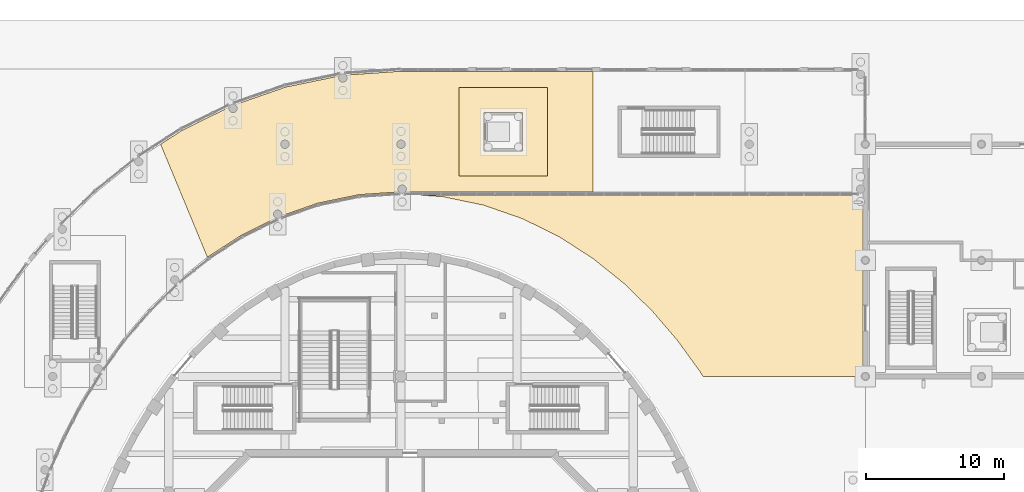
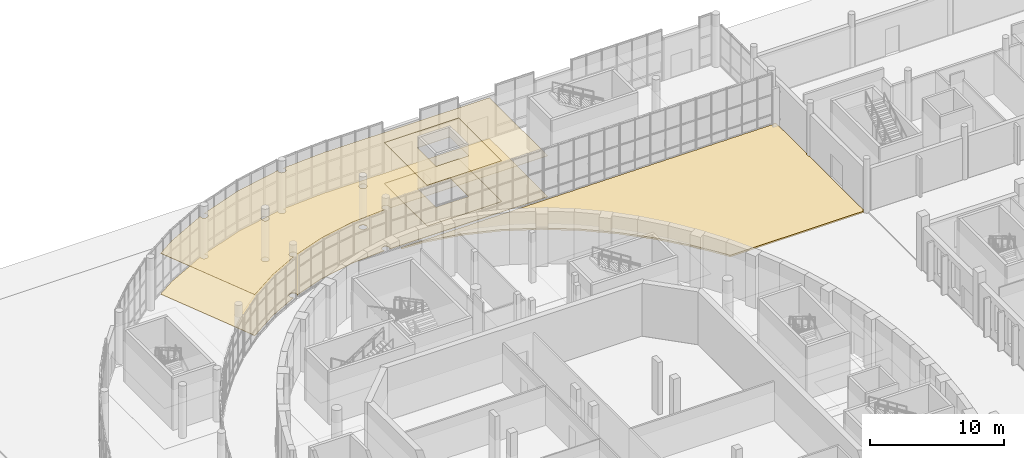
# One storey, part 103 of 110: 5 coverings.
"""IFC4 building model written with IfcOpenShell, lengths in metres."""

from ifc_helpers import new_model, si_unit, direction, frame, origin, place, context, subcontext, project, spatial, polyline, outline, extrude, material, layer, layer_set, type_object, element, save


model = new_model("IFC4")

# Units and contexts
model_context = context("Model", 3, precision=1e-05, world=origin(), true_north=direction((0.0, 1.0)))
body_context = subcontext(model_context, "Body", "Model", "MODEL_VIEW")
ifc_project = project(units=[si_unit("LENGTHUNIT", "METRE"), si_unit("AREAUNIT", "SQUARE_METRE"), si_unit("VOLUMEUNIT", "CUBIC_METRE"), si_unit("PLANEANGLEUNIT", "RADIAN"), si_unit("MASSUNIT", "GRAM", prefix="KILO")], contexts=[model_context])

# Site, building, storey
site_placement = place(None, origin())
site = spatial("IfcSite", under=ifc_project, at=site_placement, CompositionType="ELEMENT")
building_placement = place(site_placement, origin())
building = spatial("IfcBuilding", under=site, at=building_placement, Name="Larchfold Concert Hall", CompositionType="ELEMENT")
storey_placement = place(building_placement, origin())
storey = spatial("IfcBuildingStorey", under=building, at=storey_placement, Name="L00", CompositionType="ELEMENT", Elevation=0.0)

# Coverings
ifc_material_1 = material(Name="Plasterboard ceiling lining")
ifc_layer_1 = layer(ifc_material_1, 0.030029296875)
ifc_layer_set_1 = layer_set([ifc_layer_1], Name="Plasterboard ceiling lining")
covering_type_1 = type_object("IfcCoveringType", Name="Ceiling suspended plasterboard 30", PredefinedType="CEILING", material=ifc_layer_set_1)
covering_1_placement = place(storey_placement, frame((0.0, 0.0, 3.719970703125)))
element("IfcCovering", 1, at=covering_1_placement, inside=storey, type_object=covering_type_1, Name="Ceiling Winter Garden Concourse North", PredefinedType="CEILING", context=body_context, shape_type="SweptSolid", body=[
    extrude(outline(polyline([(38.13232421875, 131.541015625), (34.2529296875, 130.737060546875), (30.587890625, 129.46044921875), (30.6552734375, 129.41015625), (30.702880859375, 129.347900390625), (30.73291015625, 129.275634765625), (30.7431640625, 129.197998046875), (30.73291015625, 129.120361328125), (30.702880859375, 129.048095703125), (30.6552734375, 128.98583984375), (30.593017578125, 128.938232421875), (30.520751953125, 128.908203125), (30.443115234375, 128.89794921875), (30.404052734375, 128.900634765625), (30.328369140625, 128.9208984375), (30.260498046875, 128.9599609375), (30.205078125, 129.015380859375), (30.183349609375, 129.048095703125), (30.1533203125, 129.120361328125), (30.14306640625, 129.197998046875), (30.154541015625, 129.27880859375), (26.771484375, 127.6103515625), (25.203369140625, 126.599365234375), (28.587890625, 118.427978515625), (31.066650390625, 120.028076171875), (33.560302734375, 121.258056640625), (33.493408203125, 121.296875), (33.4638671875, 121.32275390625), (33.416259765625, 121.385009765625), (33.38623046875, 121.457275390625), (33.3759765625, 121.534912109375), (33.38623046875, 121.612548828125), (33.416259765625, 121.684814453125), (33.4638671875, 121.7470703125), (33.493408203125, 121.77294921875), (33.561279296875, 121.81201171875), (33.636962890625, 121.832275390625), (33.715087890625, 121.832275390625), (33.790771484375, 121.81201171875), (33.825927734375, 121.794677734375), (33.88818359375, 121.7470703125), (33.935791015625, 121.684814453125), (33.953125, 121.649658203125), (33.973388671875, 121.573974609375), (33.973388671875, 121.495849609375), (33.953125, 121.419921875), (36.57666015625, 122.333740234375), (39.55224609375, 122.950927734375), (42.46044921875, 123.151123046875), (42.42431640625, 123.2001953125), (42.406982421875, 123.2353515625), (42.38671875, 123.31103515625), (42.38671875, 123.38916015625), (42.406982421875, 123.46484375), (42.446044921875, 123.53271484375), (42.50146484375, 123.588134765625), (42.5693359375, 123.627197265625), (42.64501953125, 123.6474609375), (42.72314453125, 123.6474609375), (42.798828125, 123.627197265625), (42.833984375, 123.60986328125), (42.896240234375, 123.562255859375), (42.94384765625, 123.5), (42.961181640625, 123.46484375), (42.9814453125, 123.38916015625), (42.9814453125, 123.31103515625), (42.961181640625, 123.2353515625), (42.94384765625, 123.2001953125), (42.90673828125, 123.14990234375), (56.50048828125, 123.14990234375), (56.50048828125, 131.85009765625), (42.4501953125, 131.85009765625), (42.4501953125, 131.871337890625), (38.60107421875, 131.60595703125), (38.65185546875, 131.541015625), (38.681884765625, 131.46875), (38.692138671875, 131.39111328125), (38.689453125, 131.35205078125), (38.669189453125, 131.2763671875), (38.630126953125, 131.20849609375), (38.57470703125, 131.153076171875), (38.5068359375, 131.114013671875), (38.43115234375, 131.09375), (38.39208984375, 131.091064453125), (38.314453125, 131.101318359375), (38.2421875, 131.13134765625), (38.179931640625, 131.178955078125), (38.13232421875, 131.2412109375), (38.102294921875, 131.3134765625), (38.092041015625, 131.39111328125), (38.102294921875, 131.46875), (38.13232421875, 131.541015625)]), holes=[polyline([(46.800048828125, 124.300048828125), (46.800048828125, 130.699951171875), (53.199951171875, 130.699951171875), (53.199951171875, 124.300048828125), (46.800048828125, 124.300048828125)]), polyline([(42.387939453125, 126.387939453125), (42.34033203125, 126.4501953125), (42.322998046875, 126.4853515625), (42.302734375, 126.56103515625), (42.302734375, 126.63916015625), (42.322998046875, 126.71484375), (42.362060546875, 126.78271484375), (42.387939453125, 126.812255859375), (42.4501953125, 126.85986328125), (42.4853515625, 126.877197265625), (42.56103515625, 126.8974609375), (42.63916015625, 126.8974609375), (42.677734375, 126.889892578125), (42.75, 126.85986328125), (42.812255859375, 126.812255859375), (42.85986328125, 126.75), (42.877197265625, 126.71484375), (42.8974609375, 126.63916015625), (42.8974609375, 126.56103515625), (42.877197265625, 126.4853515625), (42.838134765625, 126.41748046875), (42.812255859375, 126.387939453125), (42.75, 126.34033203125), (42.71484375, 126.322998046875), (42.63916015625, 126.302734375), (42.56103515625, 126.302734375), (42.5224609375, 126.310302734375), (42.4501953125, 126.34033203125), (42.387939453125, 126.387939453125)]), polyline([(33.98779296875, 126.387939453125), (33.940185546875, 126.4501953125), (33.9228515625, 126.4853515625), (33.902587890625, 126.56103515625), (33.902587890625, 126.63916015625), (33.9228515625, 126.71484375), (33.9619140625, 126.78271484375), (33.98779296875, 126.812255859375), (34.050048828125, 126.85986328125), (34.085205078125, 126.877197265625), (34.160888671875, 126.8974609375), (34.239013671875, 126.8974609375), (34.277587890625, 126.889892578125), (34.349853515625, 126.85986328125), (34.412109375, 126.812255859375), (34.459716796875, 126.75), (34.47705078125, 126.71484375), (34.497314453125, 126.63916015625), (34.497314453125, 126.56103515625), (34.47705078125, 126.4853515625), (34.43798828125, 126.41748046875), (34.412109375, 126.387939453125), (34.349853515625, 126.34033203125), (34.314697265625, 126.322998046875), (34.239013671875, 126.302734375), (34.160888671875, 126.302734375), (34.122314453125, 126.310302734375), (34.050048828125, 126.34033203125), (33.98779296875, 126.387939453125)])]), origin(), (0.0, 0.0, 1.0), 0.030029296875),
])
covering_2_placement = place(storey_placement, frame((0.0, 0.0, 3.719970703125)))
element("IfcCovering", 2, at=covering_2_placement, inside=storey, type_object=covering_type_1, Name="Ceiling Foyer 03", PredefinedType="CEILING", context=body_context, shape_type="SweptSolid", body=[
    extrude(outline(polyline([(53.198974609375, 130.698974609375), (46.801025390625, 130.698974609375), (46.801025390625, 124.301025390625), (53.198974609375, 124.301025390625), (53.198974609375, 130.698974609375)]), holes=[polyline([(48.60009765625, 128.89990234375), (51.39990234375, 128.89990234375), (51.39990234375, 126.10009765625), (48.60009765625, 126.10009765625), (48.60009765625, 128.89990234375)])]), origin(), (0.0, 0.0, 1.0), 0.030029296875),
])
ifc_material_2 = material(Name="Polished terrazzo")
ifc_layer_2 = layer(ifc_material_2, 0.0400390625)
ifc_layer_set_2 = layer_set([ifc_layer_2], Name="Polished terrazzo")
covering_type_2 = type_object("IfcCoveringType", Name="Floor finish terrazzo 40", PredefinedType="FLOORING", material=ifc_layer_set_2)
covering_3_placement = place(storey_placement, origin())
element("IfcCovering", 3, at=covering_3_placement, inside=storey, type_object=covering_type_2, Name="Floor finish Winter Garden Concourse North", PredefinedType="FLOORING", context=body_context, shape_type="SweptSolid", body=[
    extrude(outline(polyline([(38.13232421875, 131.541015625), (34.2529296875, 130.737060546875), (30.587890625, 129.46044921875), (30.6552734375, 129.41015625), (30.702880859375, 129.347900390625), (30.73291015625, 129.275634765625), (30.7431640625, 129.197998046875), (30.73291015625, 129.120361328125), (30.702880859375, 129.048095703125), (30.6552734375, 128.98583984375), (30.593017578125, 128.938232421875), (30.520751953125, 128.908203125), (30.443115234375, 128.89794921875), (30.404052734375, 128.900634765625), (30.328369140625, 128.9208984375), (30.260498046875, 128.9599609375), (30.205078125, 129.015380859375), (30.183349609375, 129.048095703125), (30.1533203125, 129.120361328125), (30.14306640625, 129.197998046875), (30.154541015625, 129.27880859375), (26.771484375, 127.6103515625), (25.203369140625, 126.599365234375), (28.587890625, 118.427978515625), (31.066650390625, 120.028076171875), (33.560302734375, 121.258056640625), (33.493408203125, 121.296875), (33.4638671875, 121.32275390625), (33.416259765625, 121.385009765625), (33.38623046875, 121.457275390625), (33.3759765625, 121.534912109375), (33.38623046875, 121.612548828125), (33.416259765625, 121.684814453125), (33.4638671875, 121.7470703125), (33.493408203125, 121.77294921875), (33.561279296875, 121.81201171875), (33.636962890625, 121.832275390625), (33.715087890625, 121.832275390625), (33.790771484375, 121.81201171875), (33.825927734375, 121.794677734375), (33.88818359375, 121.7470703125), (33.935791015625, 121.684814453125), (33.953125, 121.649658203125), (33.973388671875, 121.573974609375), (33.973388671875, 121.495849609375), (33.953125, 121.419921875), (36.57666015625, 122.333740234375), (39.55224609375, 122.950927734375), (42.46044921875, 123.151123046875), (42.42431640625, 123.2001953125), (42.406982421875, 123.2353515625), (42.38671875, 123.31103515625), (42.38671875, 123.38916015625), (42.406982421875, 123.46484375), (42.446044921875, 123.53271484375), (42.50146484375, 123.588134765625), (42.5693359375, 123.627197265625), (42.64501953125, 123.6474609375), (42.72314453125, 123.6474609375), (42.798828125, 123.627197265625), (42.833984375, 123.60986328125), (42.896240234375, 123.562255859375), (42.94384765625, 123.5), (42.961181640625, 123.46484375), (42.9814453125, 123.38916015625), (42.9814453125, 123.31103515625), (42.961181640625, 123.2353515625), (42.94384765625, 123.2001953125), (42.90673828125, 123.14990234375), (56.50048828125, 123.14990234375), (56.50048828125, 131.85009765625), (42.4501953125, 131.85009765625), (42.4501953125, 131.871337890625), (38.60107421875, 131.60595703125), (38.65185546875, 131.541015625), (38.681884765625, 131.46875), (38.692138671875, 131.39111328125), (38.689453125, 131.35205078125), (38.669189453125, 131.2763671875), (38.630126953125, 131.20849609375), (38.57470703125, 131.153076171875), (38.5068359375, 131.114013671875), (38.43115234375, 131.09375), (38.39208984375, 131.091064453125), (38.314453125, 131.101318359375), (38.2421875, 131.13134765625), (38.179931640625, 131.178955078125), (38.13232421875, 131.2412109375), (38.102294921875, 131.3134765625), (38.092041015625, 131.39111328125), (38.102294921875, 131.46875), (38.13232421875, 131.541015625)]), holes=[polyline([(46.800048828125, 124.300048828125), (46.800048828125, 130.699951171875), (53.199951171875, 130.699951171875), (53.199951171875, 124.300048828125), (46.800048828125, 124.300048828125)]), polyline([(42.387939453125, 126.387939453125), (42.34033203125, 126.4501953125), (42.322998046875, 126.4853515625), (42.302734375, 126.56103515625), (42.302734375, 126.63916015625), (42.322998046875, 126.71484375), (42.362060546875, 126.78271484375), (42.387939453125, 126.812255859375), (42.4501953125, 126.85986328125), (42.4853515625, 126.877197265625), (42.56103515625, 126.8974609375), (42.63916015625, 126.8974609375), (42.677734375, 126.889892578125), (42.75, 126.85986328125), (42.812255859375, 126.812255859375), (42.85986328125, 126.75), (42.877197265625, 126.71484375), (42.8974609375, 126.63916015625), (42.8974609375, 126.56103515625), (42.877197265625, 126.4853515625), (42.838134765625, 126.41748046875), (42.812255859375, 126.387939453125), (42.75, 126.34033203125), (42.71484375, 126.322998046875), (42.63916015625, 126.302734375), (42.56103515625, 126.302734375), (42.5224609375, 126.310302734375), (42.4501953125, 126.34033203125), (42.387939453125, 126.387939453125)]), polyline([(33.98779296875, 126.387939453125), (33.940185546875, 126.4501953125), (33.9228515625, 126.4853515625), (33.902587890625, 126.56103515625), (33.902587890625, 126.63916015625), (33.9228515625, 126.71484375), (33.9619140625, 126.78271484375), (33.98779296875, 126.812255859375), (34.050048828125, 126.85986328125), (34.085205078125, 126.877197265625), (34.160888671875, 126.8974609375), (34.239013671875, 126.8974609375), (34.277587890625, 126.889892578125), (34.349853515625, 126.85986328125), (34.412109375, 126.812255859375), (34.459716796875, 126.75), (34.47705078125, 126.71484375), (34.497314453125, 126.63916015625), (34.497314453125, 126.56103515625), (34.47705078125, 126.4853515625), (34.43798828125, 126.41748046875), (34.412109375, 126.387939453125), (34.349853515625, 126.34033203125), (34.314697265625, 126.322998046875), (34.239013671875, 126.302734375), (34.160888671875, 126.302734375), (34.122314453125, 126.310302734375), (34.050048828125, 126.34033203125), (33.98779296875, 126.387939453125)])]), origin(), (0.0, 0.0, 1.0), 0.0400390625),
])
covering_4_placement = place(storey_placement, origin())
element("IfcCovering", 4, at=covering_4_placement, inside=storey, type_object=covering_type_2, Name="Floor finish Foyer 03", PredefinedType="FLOORING", context=body_context, shape_type="SweptSolid", body=[
    extrude(outline(polyline([(53.198974609375, 130.698974609375), (46.801025390625, 130.698974609375), (46.801025390625, 124.301025390625), (53.198974609375, 124.301025390625), (53.198974609375, 130.698974609375)]), holes=[polyline([(48.60009765625, 128.89990234375), (51.39990234375, 128.89990234375), (51.39990234375, 126.10009765625), (48.60009765625, 126.10009765625), (48.60009765625, 128.89990234375)])]), origin(), (0.0, 0.0, 1.0), 0.0400390625),
])
ifc_material_3 = material(Name="Paving", Category="finish")
ifc_layer_3 = layer(ifc_material_3, 0.14990234375)
ifc_layer_set_3 = layer_set([ifc_layer_3], Name="Paving")
covering_type_3 = type_object("IfcCoveringType", Name="Site paving 150", PredefinedType="FLOORING", material=ifc_layer_set_3)
covering_5_placement = place(storey_placement, frame((0.0, 0.0, -0.150146484375)))
element("IfcCovering", 5, at=covering_5_placement, inside=storey, type_object=covering_type_3, Name="Site paving SP0003", PredefinedType="FLOORING", context=body_context, shape_type="SweptSolid", body=[
    extrude(outline(polyline([(44.091796875, 122.929931640625), (43.7685546875, 122.929931640625), (45.626708984375, 122.802001953125), (48.582763671875, 122.189208984375), (51.408203125, 121.205078125), (54.05908203125, 119.897705078125), (56.510009765625, 118.317626953125), (58.75146484375, 116.513671875), (60.782470703125, 114.528076171875), (62.6083984375, 112.396240234375), (64.23828125, 110.14599609375), (64.451171875, 109.80029296875), (75.9208984375, 109.800048828125), (75.934814453125, 109.850830078125), (75.949951171875, 109.901611328125), (75.974365234375, 109.948486328125), (76.0078125, 109.989501953125), (76.04833984375, 110.0234375), (76.005126953125, 110.049072265625), (76.0048828125, 117.948974609375), (76.061767578125, 117.968994140625), (76.010498046875, 118.0078125), (75.9765625, 118.04833984375), (75.951416015625, 118.094970703125), (75.935546875, 118.145263671875), (75.929931640625, 118.197998046875), (75.934814453125, 118.250732421875), (75.949951171875, 118.301513671875), (75.974365234375, 118.348388671875), (76.0078125, 118.389404296875), (76.04833984375, 118.42333984375), (76.005126953125, 118.448974609375), (76.0048828125, 122.97998046875), (75.75537109375, 122.97998046875), (75.731201171875, 122.934326171875), (75.68310546875, 122.9072265625), (75.628173828125, 122.91162109375), (74.4423828125, 122.929931640625), (74.397216796875, 122.90673828125), (74.343994140625, 122.91162109375), (73.12841796875, 122.929931640625), (73.0830078125, 122.90673828125), (73.030029296875, 122.91162109375), (71.814208984375, 122.929931640625), (71.76904296875, 122.90673828125), (71.7158203125, 122.91162109375), (70.500244140625, 122.929931640625), (70.454833984375, 122.90673828125), (70.40185546875, 122.91162109375), (69.21630859375, 122.929931640625), (69.1708984375, 122.90673828125), (69.11279296875, 122.9072265625), (69.057861328125, 122.91162109375), (67.8720703125, 122.929931640625), (67.826904296875, 122.90673828125), (67.773681640625, 122.91162109375), (66.55810546875, 122.929931640625), (66.512939453125, 122.90673828125), (66.459716796875, 122.91162109375), (65.244140625, 122.929931640625), (65.19873046875, 122.90673828125), (65.145751953125, 122.91162109375), (63.93017578125, 122.929931640625), (63.884765625, 122.90673828125), (63.831787109375, 122.91162109375), (62.646240234375, 122.929931640625), (62.600830078125, 122.90673828125), (62.542724609375, 122.9072265625), (62.48779296875, 122.91162109375), (61.302001953125, 122.929931640625), (61.2568359375, 122.90673828125), (61.20361328125, 122.91162109375), (59.988037109375, 122.929931640625), (59.942626953125, 122.90673828125), (59.8896484375, 122.91162109375), (58.673828125, 122.929931640625), (58.628662109375, 122.90673828125), (58.575439453125, 122.91162109375), (57.35986328125, 122.929931640625), (57.314453125, 122.90673828125), (57.261474609375, 122.91162109375), (56.075927734375, 122.929931640625), (56.030517578125, 122.90673828125), (55.972412109375, 122.9072265625), (55.91748046875, 122.91162109375), (54.731689453125, 122.929931640625), (54.6865234375, 122.90673828125), (54.63330078125, 122.91162109375), (53.417724609375, 122.929931640625), (53.37255859375, 122.90673828125), (53.3193359375, 122.91162109375), (52.103759765625, 122.929931640625), (52.058349609375, 122.90673828125), (52.00537109375, 122.91162109375), (50.789794921875, 122.929931640625), (50.744384765625, 122.90673828125), (50.69140625, 122.91162109375), (49.505859375, 122.929931640625), (49.46044921875, 122.90673828125), (49.40234375, 122.9072265625), (49.347412109375, 122.91162109375), (48.16162109375, 122.929931640625), (48.116455078125, 122.90673828125), (48.063232421875, 122.91162109375), (46.84765625, 122.929931640625), (46.80224609375, 122.90673828125), (46.749267578125, 122.91162109375), (45.533447265625, 122.929931640625), (45.48828125, 122.90673828125), (45.43505859375, 122.91162109375), (44.219482421875, 122.929931640625), (44.174072265625, 122.90673828125), (44.091796875, 122.929931640625)])), origin(), (0.0, 0.0, 1.0), 0.150146484375),
])

save(model, "model.ifc")
